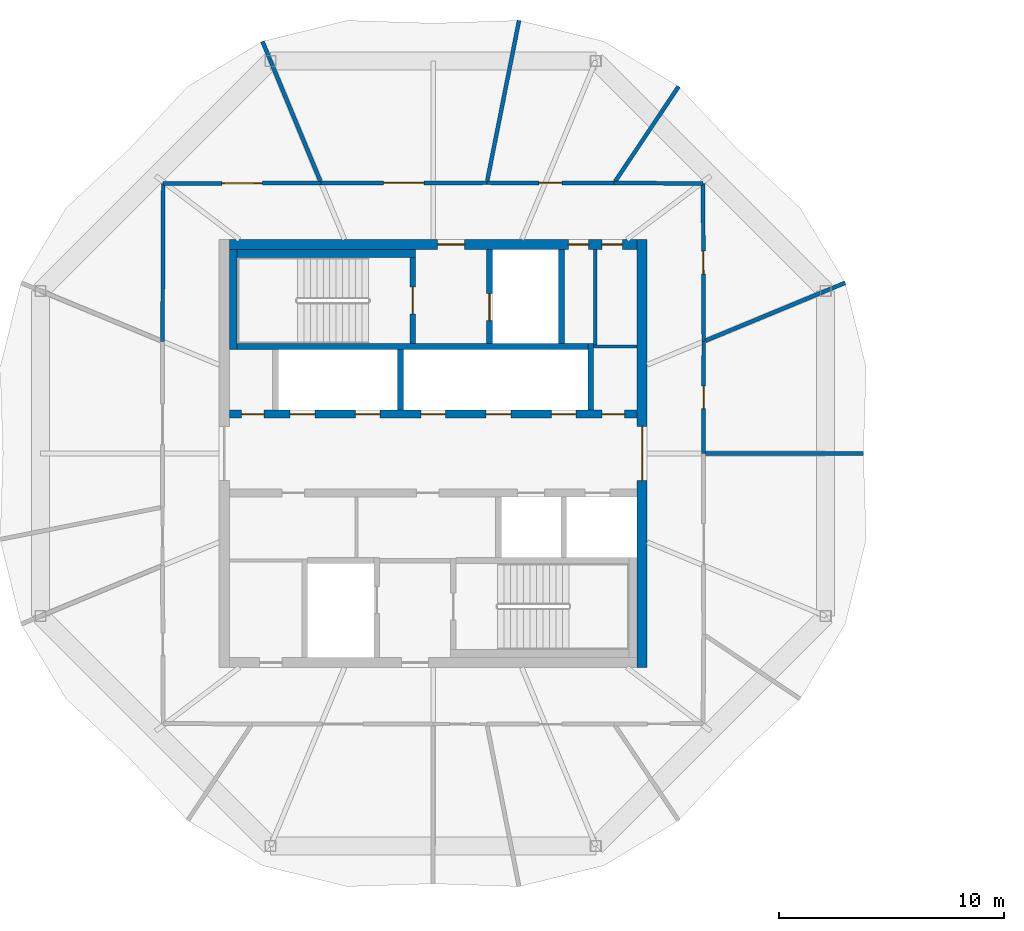
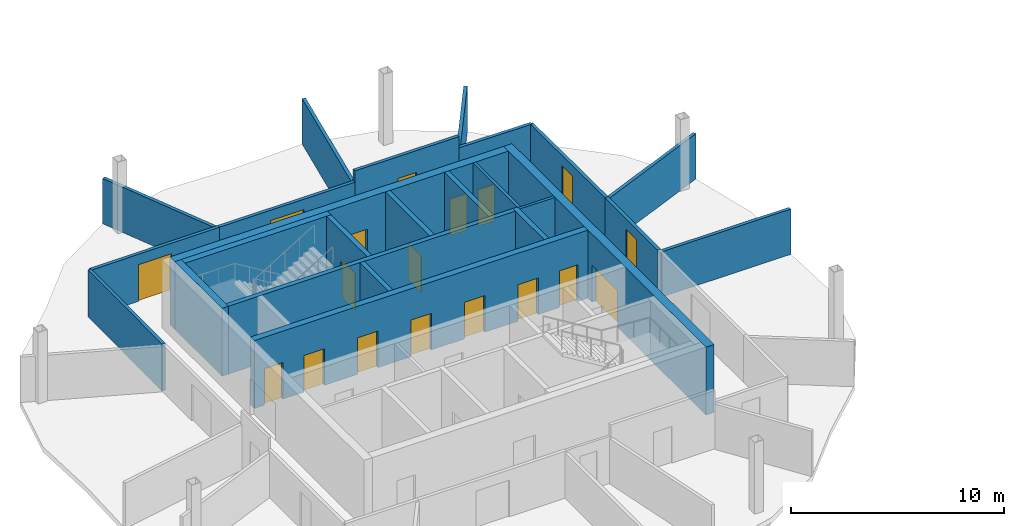
# One storey, part 6 of 10: 25 walls, 18 doors, 18 openings.
"""IFC4 building model written with IfcOpenShell, lengths in metres."""

from ifc_helpers import new_model, si_unit, direction, frame, frame_2d, origin, place, context, subcontext, project, spatial, rectangle, extrude, material, layer, layer_set, type_object, element, fill, save


model = new_model("IFC4")

# Units and contexts
model_context = context("Model", 3, precision=1e-05, world=origin(), true_north=direction((0.0, 1.0)))
body_context = subcontext(model_context, "Body", "Model", "MODEL_VIEW")
ifc_project = project(units=[si_unit("LENGTHUNIT", "METRE"), si_unit("AREAUNIT", "SQUARE_METRE"), si_unit("VOLUMEUNIT", "CUBIC_METRE"), si_unit("PLANEANGLEUNIT", "RADIAN"), si_unit("MASSUNIT", "GRAM", prefix="KILO")], contexts=[model_context])

# Site, building, storey
site_placement = place(None, origin())
site = spatial("IfcSite", under=ifc_project, at=site_placement, CompositionType="ELEMENT")
building_placement = place(site_placement, origin())
building = spatial("IfcBuilding", under=site, at=building_placement, Name="Ogive Gate Towers", CompositionType="ELEMENT")
storey_placement = place(building_placement, frame((0.0, 0.0, 264.60009765625)))
storey = spatial("IfcBuildingStorey", under=building, at=storey_placement, Name="L62", CompositionType="ELEMENT", Elevation=264.60009765625)

# Walls
ifc_material_1 = material(Name="Gypsum board acoustic partition")
ifc_layer_1 = layer(ifc_material_1, 0.175048828125)
ifc_layer_set_1 = layer_set([ifc_layer_1], Name="Acoustic partition 175")
wall_type_1 = type_object("IfcWallType", Name="Acoustic partition 175", PredefinedType="PARTITIONING", material=ifc_layer_set_1)
wall_1_placement = place(storey_placement, frame((-16.90087890625, 0.0, 0.0), z_axis=(0.0, 0.0, 1.0), x_axis=(-1.0, 0.0, 0.0)))
element("IfcWall", 1, at=wall_1_placement, inside=storey, type_object=wall_type_1, Name="Partition T1-L62-001", PredefinedType="PARTITIONING", context=body_context, shape_type="SweptSolid", body=[
    extrude(rectangle(XDim=7.011474609375, YDim=0.175048828125, at=frame_2d((3.505859375, 0.0))), origin(), (0.0, 0.0, 1.0), 2.599853515625),
])
wall_2_placement = place(storey_placement, frame((-17.70703125, 7.5771484375, 0.0), z_axis=(0.0, 0.0, 1.0), x_axis=(-0.923882053966, -0.382677344977, 0.0)))
element("IfcWall", 2, at=wall_2_placement, inside=storey, type_object=wall_type_1, Name="Partition T1-L62-002", PredefinedType="PARTITIONING", context=body_context, shape_type="SweptSolid", body=[
    extrude(rectangle(XDim=6.711669921875, YDim=0.175048828125, at=frame_2d((3.35595703125, 0.0))), origin(), (0.0, 0.0, 1.0), 2.599853515625),
])
wall_3_placement = place(storey_placement, frame((-25.103515625, 16.291259765625, 0.0), z_axis=(0.0, 0.0, 1.0), x_axis=(-0.555968529854, -0.831203340833, 0.0)))
element("IfcWall", 3, at=wall_3_placement, inside=storey, type_object=wall_type_1, Name="Partition T1-L62-003", PredefinedType="PARTITIONING", context=body_context, shape_type="SweptSolid", body=[
    extrude(rectangle(XDim=5.061279296875, YDim=0.175048828125, at=frame_2d((2.53076171875, 0.0))), origin(), (0.0, 0.0, 1.0), 2.599853515625),
])
wall_4_placement = place(storey_placement, frame((-32.185302734375, 19.224609375, 0.0), z_axis=(0.0, 0.0, 1.0), x_axis=(-0.194635269344, -0.980875686276, 0.0)))
element("IfcWall", 4, at=wall_4_placement, inside=storey, type_object=wall_type_1, Name="Partition T1-L62-004", PredefinedType="PARTITIONING", context=body_context, shape_type="SweptSolid", body=[
    extrude(rectangle(XDim=7.261474609375, YDim=0.175048828125, at=frame_2d((3.630859375, 0.0))), origin(), (0.0, 0.0, 1.0), 2.599853515625),
])
wall_5_placement = place(storey_placement, frame((-43.5771484375, 18.29296875, 0.0), z_axis=(0.0, 0.0, 1.0), x_axis=(0.382677344977, -0.923882053966, 0.0)))
element("IfcWall", 5, at=wall_5_placement, inside=storey, type_object=wall_type_1, Name="Partition T1-L62-005", PredefinedType="PARTITIONING", context=body_context, shape_type="SweptSolid", body=[
    extrude(rectangle(XDim=6.711669921875, YDim=0.175048828125, at=frame_2d((3.35595703125, 0.0))), origin(), (0.0, 0.0, 1.0), 2.599853515625),
])

# Wall, opening, door
wall_6_placement = place(storey_placement, frame((-24.0, 0.0, 0.0), z_axis=(0.0, 0.0, 1.0), x_axis=(0.002306289563, 0.999997340511, 0.0)))
wall_6 = element("IfcWall", 6, at=wall_6_placement, inside=storey, type_object=wall_type_1, Name="Partition T1-L62-019", PredefinedType="PARTITIONING", context=body_context, shape_type="SweptSolid", body=[
    extrude(rectangle(XDim=4.975341796875, YDim=0.175048828125, at=frame_2d((2.48779296875, 0.0))), origin(), (0.0, 0.0, 1.0), 2.699951171875),
])
opening_1_placement = place(wall_6_placement, frame((1.988037109375, 0.0, 0.0)))
opening_1 = element("IfcOpeningElement", 7, at=opening_1_placement, cuts=wall_6, Name="Opening T1-L62-D05", PredefinedType="OPENING", context=body_context, shape_type="SweptSolid", body=[
    extrude(rectangle(XDim=1.0, YDim=2.10009765625, at=frame_2d((0.5, 1.050048828125))), frame((0.0, 0.09765625, 0.0), z_axis=(0.0, -1.0, 0.0), x_axis=(1.0, 0.0, 0.0)), (0.0, 0.0, 1.0), 0.195068359375),
])
ifc_material_2 = material(Name="Timber door", Category="wood")
door_type_1 = type_object("IfcDoorType", Name="Door 1000", OperationType="NOTDEFINED", PredefinedType="DOOR", material=ifc_material_2)
door_1_placement = place(opening_1_placement, origin())
door_1 = element("IfcDoor", 8, at=door_1_placement, inside=storey, type_object=door_type_1, Name="Door T1-L62-D05", OperationType="SINGLE_SWING_RIGHT", OverallHeight=2.10009765625, OverallWidth=1.0, PredefinedType="DOOR", context=body_context, shape_type="SweptSolid", body=[
    extrude(rectangle(XDim=1.0, YDim=2.10009765625, at=frame_2d((0.5, 1.050048828125))), frame((0.0, 0.02490234375, 0.0), z_axis=(0.0, -1.0, 0.0), x_axis=(1.0, 0.0, 0.0)), (0.0, 0.0, 1.0), 0.050048828125),
])
fill(opening_1, door_1)

wall_7_placement = place(storey_placement, frame((-23.988525390625, 4.975341796875, 0.0), z_axis=(0.0, 0.0, 1.0), x_axis=(-0.004496138026, 0.99998989232, 0.0)))
wall_7 = element("IfcWall", 9, at=wall_7_placement, inside=storey, type_object=wall_type_1, Name="Partition T1-L62-020", PredefinedType="PARTITIONING", context=body_context, shape_type="SweptSolid", body=[
    extrude(rectangle(XDim=7.004638671875, YDim=0.175048828125, at=frame_2d((3.50244140625, 0.0))), origin(), (0.0, 0.0, 1.0), 2.699951171875),
])
opening_2_placement = place(wall_7_placement, frame((3.001953125, 0.0, 0.0)))
opening_2 = element("IfcOpeningElement", 10, at=opening_2_placement, cuts=wall_7, Name="Opening T1-L62-D06", PredefinedType="OPENING", context=body_context, shape_type="SweptSolid", body=[
    extrude(rectangle(XDim=1.0, YDim=2.10009765625, at=frame_2d((0.5, 1.050048828125))), frame((0.0, 0.09765625, 0.0), z_axis=(0.0, -1.0, 0.0), x_axis=(1.0, 0.0, 0.0)), (0.0, 0.0, 1.0), 0.195068359375),
])
door_2_placement = place(opening_2_placement, origin())
door_2 = element("IfcDoor", 11, at=door_2_placement, inside=storey, type_object=door_type_1, Name="Door T1-L62-D06", OperationType="SINGLE_SWING_LEFT", OverallHeight=2.10009765625, OverallWidth=1.0, PredefinedType="DOOR", context=body_context, shape_type="SweptSolid", body=[
    extrude(rectangle(XDim=1.0, YDim=2.10009765625, at=frame_2d((0.5, 1.050048828125))), frame((0.0, 0.02490234375, 0.0), z_axis=(0.0, -1.0, 0.0), x_axis=(1.0, 0.0, 0.0)), (0.0, 0.0, 1.0), 0.050048828125),
])
fill(opening_2, door_2)

# Wall
wall_8_placement = place(storey_placement, frame((-24.02001953125, 11.97998046875, 0.0), z_axis=(0.0, 0.0, 1.0), x_axis=(-0.999968151812, 0.007980937424, 0.0)))
element("IfcWall", 12, at=wall_8_placement, inside=storey, type_object=wall_type_1, Name="Partition T1-L62-021", PredefinedType="PARTITIONING", context=body_context, shape_type="SweptSolid", body=[
    extrude(rectangle(XDim=3.9462890625, YDim=0.175048828125, at=frame_2d((1.97314453125, 0.0))), origin(), (0.0, 0.0, 1.0), 2.699951171875),
])

# Wall, opening, door
wall_9_placement = place(storey_placement, frame((-27.966064453125, 12.011474609375, 0.0), z_axis=(0.0, 0.0, 1.0), x_axis=(-0.999999626489, 0.000864303912, 0.0)))
wall_9 = element("IfcWall", 13, at=wall_9_placement, inside=storey, type_object=wall_type_1, Name="Partition T1-L62-022", PredefinedType="PARTITIONING", context=body_context, shape_type="SweptSolid", body=[
    extrude(rectangle(XDim=5.6494140625, YDim=0.175048828125, at=frame_2d((2.82470703125, 0.0))), origin(), (0.0, 0.0, 1.0), 3.349853515625),
])
opening_3_placement = place(wall_9_placement, frame((2.324951171875, 0.0, 0.0)))
opening_3 = element("IfcOpeningElement", 14, at=opening_3_placement, cuts=wall_9, Name="Opening T1-L62-D07", PredefinedType="OPENING", context=body_context, shape_type="SweptSolid", body=[
    extrude(rectangle(XDim=1.0, YDim=2.10009765625, at=frame_2d((0.5, 1.050048828125))), frame((0.0, 0.09765625, 0.0), z_axis=(0.0, -1.0, 0.0), x_axis=(1.0, 0.0, 0.0)), (0.0, 0.0, 1.0), 0.195068359375),
])
door_3_placement = place(opening_3_placement, origin())
door_3 = element("IfcDoor", 15, at=door_3_placement, inside=storey, type_object=door_type_1, Name="Door T1-L62-D07", OperationType="SINGLE_SWING_LEFT", OverallHeight=2.10009765625, OverallWidth=1.0, PredefinedType="DOOR", context=body_context, shape_type="SweptSolid", body=[
    extrude(rectangle(XDim=1.0, YDim=2.10009765625, at=frame_2d((0.5, 1.050048828125))), frame((0.0, 0.02490234375, 0.0), z_axis=(0.0, -1.0, 0.0), x_axis=(1.0, 0.0, 0.0)), (0.0, 0.0, 1.0), 0.050048828125),
])
fill(opening_3, door_3)

wall_10_placement = place(storey_placement, frame((-33.615478515625, 12.016357421875, 0.0), z_axis=(0.0, 0.0, 1.0), x_axis=(-0.999999779925, -0.000663437789, 0.0)))
wall_10 = element("IfcWall", 16, at=wall_10_placement, inside=storey, type_object=wall_type_1, Name="Partition T1-L62-023", PredefinedType="PARTITIONING", context=body_context, shape_type="SweptSolid", body=[
    extrude(rectangle(XDim=7.35986328125, YDim=0.175048828125, at=frame_2d((3.679931640625, 0.0))), origin(), (0.0, 0.0, 1.0), 2.699951171875),
])
opening_4_placement = place(wall_10_placement, frame((2.780029296875, 0.0, 0.0)))
opening_4 = element("IfcOpeningElement", 17, at=opening_4_placement, cuts=wall_10, Name="Opening T1-L62-D08", PredefinedType="OPENING", context=body_context, shape_type="SweptSolid", body=[
    extrude(rectangle(XDim=1.800048828125, YDim=2.10009765625, at=frame_2d((0.89990234375, 1.050048828125))), frame((0.0, 0.09765625, 0.0), z_axis=(0.0, -1.0, 0.0), x_axis=(1.0, 0.0, 0.0)), (0.0, 0.0, 1.0), 0.195068359375),
])
door_type_2 = type_object("IfcDoorType", Name="Door pair 1800", OperationType="NOTDEFINED", PredefinedType="DOOR", material=ifc_material_2)
door_4_placement = place(opening_4_placement, origin())
door_4 = element("IfcDoor", 18, at=door_4_placement, inside=storey, type_object=door_type_2, Name="Door T1-L62-D08", OperationType="DOUBLE_DOOR_DOUBLE_SWING", OverallHeight=2.10009765625, OverallWidth=1.800048828125, PredefinedType="DOOR", context=body_context, shape_type="SweptSolid", body=[
    extrude(rectangle(XDim=1.800048828125, YDim=2.10009765625, at=frame_2d((0.89990234375, 1.050048828125))), frame((0.0, 0.02490234375, 0.0), z_axis=(0.0, -1.0, 0.0), x_axis=(1.0, 0.0, 0.0)), (0.0, 0.0, 1.0), 0.050048828125),
])
fill(opening_4, door_4)

wall_11_placement = place(storey_placement, frame((-40.975341796875, 12.011474609375, 0.0), z_axis=(0.0, 0.0, 1.0), x_axis=(-0.99998989232, -0.004496138026, 0.0)))
wall_11 = element("IfcWall", 19, at=wall_11_placement, inside=storey, type_object=wall_type_1, Name="Partition T1-L62-024", PredefinedType="PARTITIONING", context=body_context, shape_type="SweptSolid", body=[
    extrude(rectangle(XDim=7.004638671875, YDim=0.175048828125, at=frame_2d((3.50244140625, 0.0))), origin(), (0.0, 0.0, 1.0), 2.699951171875),
])
opening_5_placement = place(wall_11_placement, frame((2.60205078125, 0.0, 0.0)))
opening_5 = element("IfcOpeningElement", 20, at=opening_5_placement, cuts=wall_11, Name="Opening T1-L62-D09", PredefinedType="OPENING", context=body_context, shape_type="SweptSolid", body=[
    extrude(rectangle(XDim=1.800048828125, YDim=2.10009765625, at=frame_2d((0.89990234375, 1.050048828125))), frame((0.0, 0.09765625, 0.0), z_axis=(0.0, -1.0, 0.0), x_axis=(1.0, 0.0, 0.0)), (0.0, 0.0, 1.0), 0.195068359375),
])
door_5_placement = place(opening_5_placement, origin())
door_5 = element("IfcDoor", 21, at=door_5_placement, inside=storey, type_object=door_type_2, Name="Door T1-L62-D09", OperationType="DOUBLE_DOOR_DOUBLE_SWING", OverallHeight=2.10009765625, OverallWidth=1.800048828125, PredefinedType="DOOR", context=body_context, shape_type="SweptSolid", body=[
    extrude(rectangle(XDim=1.800048828125, YDim=2.10009765625, at=frame_2d((0.89990234375, 1.050048828125))), frame((0.0, 0.02490234375, 0.0), z_axis=(0.0, -1.0, 0.0), x_axis=(1.0, 0.0, 0.0)), (0.0, 0.0, 1.0), 0.050048828125),
])
fill(opening_5, door_5)

# Wall
wall_12_placement = place(storey_placement, frame((-47.97998046875, 11.97998046875, 0.0), z_axis=(0.0, 0.0, 1.0), x_axis=(-0.004496138026, -0.99998989232, 0.0)))
element("IfcWall", 22, at=wall_12_placement, inside=storey, type_object=wall_type_1, Name="Partition T1-L62-025", PredefinedType="PARTITIONING", context=body_context, shape_type="SweptSolid", body=[
    extrude(rectangle(XDim=7.004638671875, YDim=0.175048828125, at=frame_2d((3.50244140625, 0.0))), origin(), (0.0, 0.0, 1.0), 2.699951171875),
])

# Wall, openings, doors
ifc_material_3 = material(Name="Concrete C60/75", Category="concrete")
ifc_layer_2 = layer(ifc_material_3, 0.449951171875)
ifc_layer_set_2 = layer_set([ifc_layer_2], Name="Core wall 450 mm")
wall_type_2 = type_object("IfcWallType", Name="Core wall 450 mm", PredefinedType="SHEAR", material=ifc_layer_set_2)
wall_13_placement = place(storey_placement, frame((-45.050048828125, 9.27490234375, 0.0), z_axis=(0.0, 0.0, 1.0), x_axis=(1.0, 0.0, 0.0)))
wall_13 = element("IfcWall", 23, at=wall_13_placement, inside=storey, type_object=wall_type_2, Name="T1 L62 Core wall 450 mm", PredefinedType="SHEAR", context=body_context, shape_type="SweptSolid", body=[
    extrude(rectangle(XDim=18.10009765625, YDim=0.449951171875, at=frame_2d((9.050048828125, 0.0))), origin(), (0.0, 0.0, 1.0), 3.89990234375),
])
opening_6_placement = place(wall_13_placement, frame((9.25, 0.0, 0.0)))
opening_6 = element("IfcOpeningElement", 24, at=opening_6_placement, cuts=wall_13, Name="Opening KD-T1-L62-18", PredefinedType="OPENING", context=body_context, shape_type="SweptSolid", body=[
    extrude(rectangle(XDim=1.199951171875, YDim=2.10009765625, at=frame_2d((0.60009765625, 1.050048828125))), frame((0.0, 0.23486328125, 0.0), z_axis=(0.0, -1.0, 0.0), x_axis=(1.0, 0.0, 0.0)), (0.0, 0.0, 1.0), 0.469970703125),
])
opening_7_placement = place(wall_13_placement, frame((15.050048828125, 0.0, 0.0)))
opening_7 = element("IfcOpeningElement", 25, at=opening_7_placement, cuts=wall_13, Name="Opening KD-T1-L62-20", PredefinedType="OPENING", context=body_context, shape_type="SweptSolid", body=[
    extrude(rectangle(XDim=0.89990234375, YDim=2.10009765625, at=frame_2d((0.449951171875, 1.050048828125))), frame((0.0, 0.23486328125, 0.0), z_axis=(0.0, -1.0, 0.0), x_axis=(1.0, 0.0, 0.0)), (0.0, 0.0, 1.0), 0.469970703125),
])
opening_8_placement = place(wall_13_placement, frame((16.550048828125, 0.0, 0.0)))
opening_8 = element("IfcOpeningElement", 26, at=opening_8_placement, cuts=wall_13, Name="Opening KD-T1-L62-21", PredefinedType="OPENING", context=body_context, shape_type="SweptSolid", body=[
    extrude(rectangle(XDim=0.89990234375, YDim=2.10009765625, at=frame_2d((0.449951171875, 1.050048828125))), frame((0.0, 0.23486328125, 0.0), z_axis=(0.0, -1.0, 0.0), x_axis=(1.0, 0.0, 0.0)), (0.0, 0.0, 1.0), 0.469970703125),
])
door_type_3 = type_object("IfcDoorType", Name="Core WC door 900 x 2100", OperationType="NOTDEFINED", PredefinedType="DOOR", material=ifc_material_2)
door_6_placement = place(opening_7_placement, origin())
door_6 = element("IfcDoor", 27, at=door_6_placement, inside=storey, type_object=door_type_3, Name="T1 L62 Core door", OperationType="SINGLE_SWING_LEFT", OverallHeight=2.10009765625, OverallWidth=0.89990234375, PredefinedType="DOOR", context=body_context, shape_type="SweptSolid", body=[
    extrude(rectangle(XDim=0.89990234375, YDim=2.10009765625, at=frame_2d((0.449951171875, 1.050048828125))), frame((0.0, 0.02490234375, 0.0), z_axis=(0.0, -1.0, 0.0), x_axis=(1.0, 0.0, 0.0)), (0.0, 0.0, 1.0), 0.050048828125),
])
fill(opening_7, door_6)
door_7_placement = place(opening_8_placement, origin())
door_7 = element("IfcDoor", 28, at=door_7_placement, inside=storey, type_object=door_type_3, Name="T1 L62 Core door", OperationType="SINGLE_SWING_RIGHT", OverallHeight=2.10009765625, OverallWidth=0.89990234375, PredefinedType="DOOR", context=body_context, shape_type="SweptSolid", body=[
    extrude(rectangle(XDim=0.89990234375, YDim=2.10009765625, at=frame_2d((0.449951171875, 1.050048828125))), frame((0.0, 0.02490234375, 0.0), z_axis=(0.0, -1.0, 0.0), x_axis=(1.0, 0.0, 0.0)), (0.0, 0.0, 1.0), 0.050048828125),
])
fill(opening_8, door_7)
ifc_material_4 = material(Name="Steel fire door", Category="steel")
door_type_4 = type_object("IfcDoorType", Name="Core door FD60S 1200 x 2100", OperationType="NOTDEFINED", PredefinedType="DOOR", material=ifc_material_4)
door_8_placement = place(opening_6_placement, origin())
door_8 = element("IfcDoor", 29, at=door_8_placement, inside=storey, type_object=door_type_4, Name="T1 L62 Fire-fighting lobby door", OperationType="SINGLE_SWING_LEFT", OverallHeight=2.10009765625, OverallWidth=1.199951171875, PredefinedType="DOOR", context=body_context, shape_type="SweptSolid", body=[
    extrude(rectangle(XDim=1.199951171875, YDim=2.10009765625, at=frame_2d((0.60009765625, 1.050048828125))), frame((0.0, 0.02490234375, 0.0), z_axis=(0.0, -1.0, 0.0), x_axis=(1.0, 0.0, 0.0)), (0.0, 0.0, 1.0), 0.050048828125),
])
fill(opening_6, door_8)

# Wall, opening, door
wall_14_placement = place(storey_placement, frame((-26.72509765625, -9.5, 0.0), z_axis=(0.0, 0.0, 1.0), x_axis=(0.0, 1.0, 0.0)))
wall_14 = element("IfcWall", 30, at=wall_14_placement, inside=storey, type_object=wall_type_2, Name="T1 L62 Core wall 450 mm", PredefinedType="SHEAR", context=body_context, shape_type="SweptSolid", body=[
    extrude(rectangle(XDim=19.0, YDim=0.449951171875, at=frame_2d((9.5, 0.0))), origin(), (0.0, 0.0, 1.0), 3.89990234375),
])
opening_9_placement = place(wall_14_placement, frame((8.300048828125, 0.0, 0.0)))
opening_9 = element("IfcOpeningElement", 31, at=opening_9_placement, cuts=wall_14, Name="Opening KD-T1-L62-02", PredefinedType="OPENING", context=body_context, shape_type="SweptSolid", body=[
    extrude(rectangle(XDim=2.39990234375, YDim=2.10009765625, at=frame_2d((1.199951171875, 1.050048828125))), frame((0.0, 0.23486328125, 0.0), z_axis=(0.0, -1.0, 0.0), x_axis=(1.0, 0.0, 0.0)), (0.0, 0.0, 1.0), 0.469970703125),
])
door_type_5 = type_object("IfcDoorType", Name="Core double door FD60S 2400 x 2100", OperationType="DOUBLE_DOOR_SINGLE_SWING", PredefinedType="DOOR", material=ifc_material_4)
door_9_placement = place(opening_9_placement, origin())
door_9 = element("IfcDoor", 32, at=door_9_placement, inside=storey, type_object=door_type_5, Name="T1 L62 Core door double", OperationType="DOUBLE_DOOR_SINGLE_SWING", OverallHeight=2.10009765625, OverallWidth=2.39990234375, PredefinedType="DOOR", context=body_context, shape_type="SweptSolid", body=[
    extrude(rectangle(XDim=2.39990234375, YDim=2.10009765625, at=frame_2d((1.199951171875, 1.050048828125))), frame((0.0, 0.02490234375, 0.0), z_axis=(0.0, -1.0, 0.0), x_axis=(1.0, 0.0, 0.0)), (0.0, 0.0, 1.0), 0.050048828125),
])
fill(opening_9, door_9)

# Walls
ifc_material_5 = material(Name="Gypsum board partition")
ifc_layer_3 = layer(ifc_material_5, 0.14990234375)
ifc_layer_set_3 = layer_set([ifc_layer_3], Name="Room partition 150 mm")
wall_type_3 = type_object("IfcWallType", Name="Room partition 150 mm", PredefinedType="PARTITIONING", material=ifc_layer_set_3)
wall_15_placement = place(storey_placement, frame((-28.875, 4.75, 0.0), z_axis=(0.0, 0.0, 1.0), x_axis=(1.0, 0.0, 0.0)))
element("IfcWall", 33, at=wall_15_placement, inside=storey, type_object=wall_type_3, Name="T1 L62 Room partition 150 mm", PredefinedType="PARTITIONING", context=body_context, shape_type="SweptSolid", body=[
    extrude(rectangle(XDim=1.925048828125, YDim=0.14990234375, at=frame_2d((0.96240234375, 0.0))), origin(), (0.0, 0.0, 1.0), 3.89990234375),
])
wall_16_placement = place(storey_placement, frame((-28.800048828125, 4.824951171875, 0.0), z_axis=(0.0, 0.0, 1.0), x_axis=(0.0, 1.0, 0.0)))
element("IfcWall", 34, at=wall_16_placement, inside=storey, type_object=wall_type_3, Name="T1 L62 Room partition 150 mm", PredefinedType="PARTITIONING", context=body_context, shape_type="SweptSolid", body=[
    extrude(rectangle(XDim=4.22509765625, YDim=0.14990234375, at=frame_2d((2.112548828125, 0.0))), origin(), (0.0, 0.0, 1.0), 3.89990234375),
])
ifc_layer_4 = layer(ifc_material_3, 0.25)
ifc_layer_set_4 = layer_set([ifc_layer_4], Name="Shaft wall 250 mm")
wall_type_4 = type_object("IfcWallType", Name="Shaft wall 250 mm", PredefinedType="SHEAR", material=ifc_layer_set_4)
wall_17_placement = place(storey_placement, frame((-44.699951171875, 4.75, 0.0), z_axis=(0.0, 0.0, 1.0), x_axis=(1.0, 0.0, 0.0)))
element("IfcWall", 35, at=wall_17_placement, inside=storey, type_object=wall_type_4, Name="T1 L62 Shaft wall 250 mm", PredefinedType="SHEAR", context=body_context, shape_type="SweptSolid", body=[
    extrude(rectangle(XDim=15.574951171875, YDim=0.25, at=frame_2d((7.78759765625, 0.0))), origin(), (0.0, 0.0, 1.0), 3.89990234375),
])
wall_18_placement = place(storey_placement, frame((-37.449951171875, 1.925048828125, 0.0), z_axis=(0.0, 0.0, 1.0), x_axis=(0.0, 1.0, 0.0)))
element("IfcWall", 36, at=wall_18_placement, inside=storey, type_object=wall_type_4, Name="T1 L62 Shaft wall 250 mm", PredefinedType="SHEAR", context=body_context, shape_type="SweptSolid", body=[
    extrude(rectangle(XDim=2.699951171875, YDim=0.25, at=frame_2d((1.35009765625, 0.0))), origin(), (0.0, 0.0, 1.0), 3.89990234375),
])

# Wall, opening, door
wall_19_placement = place(storey_placement, frame((-36.89990234375, 4.875, 0.0), z_axis=(0.0, 0.0, 1.0), x_axis=(0.0, 1.0, 0.0)))
wall_19 = element("IfcWall", 37, at=wall_19_placement, inside=storey, type_object=wall_type_4, Name="T1 L62 Shaft wall 250 mm", PredefinedType="SHEAR", context=body_context, shape_type="SweptSolid", body=[
    extrude(rectangle(XDim=3.824951171875, YDim=0.25, at=frame_2d((1.91259765625, 0.0))), origin(), (0.0, 0.0, 1.0), 3.89990234375),
])
opening_10_placement = place(wall_19_placement, frame((1.324951171875, 0.0, 0.0)))
opening_10 = element("IfcOpeningElement", 38, at=opening_10_placement, cuts=wall_19, Name="Opening KD-T1-L62-16", PredefinedType="OPENING", context=body_context, shape_type="SweptSolid", body=[
    extrude(rectangle(XDim=1.199951171875, YDim=2.10009765625, at=frame_2d((0.60009765625, 1.050048828125))), frame((0.0, 0.135009765625, 0.0), z_axis=(0.0, -1.0, 0.0), x_axis=(1.0, 0.0, 0.0)), (0.0, 0.0, 1.0), 0.27001953125),
])
door_10_placement = place(opening_10_placement, origin())
door_10 = element("IfcDoor", 39, at=door_10_placement, inside=storey, type_object=door_type_4, Name="T1 L62 Stair door", OperationType="SINGLE_SWING_LEFT", OverallHeight=2.10009765625, OverallWidth=1.199951171875, PredefinedType="DOOR", context=body_context, shape_type="SweptSolid", body=[
    extrude(rectangle(XDim=1.199951171875, YDim=2.10009765625, at=frame_2d((0.60009765625, 1.050048828125))), frame((0.0, 0.02490234375, 0.0), z_axis=(0.0, -1.0, 0.0), x_axis=(1.0, 0.0, 0.0)), (0.0, 0.0, 1.0), 0.050048828125),
])
fill(opening_10, door_10)

wall_20_placement = place(storey_placement, frame((-33.5, 4.875, 0.0), z_axis=(0.0, 0.0, 1.0), x_axis=(0.0, 1.0, 0.0)))
wall_20 = element("IfcWall", 40, at=wall_20_placement, inside=storey, type_object=wall_type_4, Name="T1 L62 Shaft wall 250 mm", PredefinedType="SHEAR", context=body_context, shape_type="SweptSolid", body=[
    extrude(rectangle(XDim=4.175048828125, YDim=0.25, at=frame_2d((2.08740234375, 0.0))), origin(), (0.0, 0.0, 1.0), 3.89990234375),
])
opening_11_placement = place(wall_20_placement, frame((1.02490234375, 0.0, 0.0)))
opening_11 = element("IfcOpeningElement", 41, at=opening_11_placement, cuts=wall_20, Name="Opening LD-T1-L62-12", PredefinedType="OPENING", context=body_context, shape_type="SweptSolid", body=[
    extrude(rectangle(XDim=1.199951171875, YDim=2.10009765625, at=frame_2d((0.60009765625, 1.050048828125))), frame((0.0, 0.135009765625, 0.0), z_axis=(0.0, -1.0, 0.0), x_axis=(1.0, 0.0, 0.0)), (0.0, 0.0, 1.0), 0.27001953125),
])
ifc_material_6 = material(Name="Stainless steel landing door", Category="steel")
door_type_6 = type_object("IfcDoorType", Name="Landing door 1200 x 2100", OperationType="SLIDING_TO_LEFT", PredefinedType="DOOR", material=ifc_material_6)
door_11_placement = place(opening_11_placement, origin())
door_11 = element("IfcDoor", 42, at=door_11_placement, inside=storey, type_object=door_type_6, Name="T1 L62 Lift landing door FF1", OperationType="SLIDING_TO_LEFT", OverallHeight=2.10009765625, OverallWidth=1.199951171875, PredefinedType="DOOR", context=body_context, shape_type="SweptSolid", body=[
    extrude(rectangle(XDim=1.199951171875, YDim=2.10009765625, at=frame_2d((0.60009765625, 1.050048828125))), frame((0.0, 0.02490234375, 0.0), z_axis=(0.0, -1.0, 0.0), x_axis=(1.0, 0.0, 0.0)), (0.0, 0.0, 1.0), 0.050048828125),
])
fill(opening_11, door_11)

# Walls
wall_21_placement = place(storey_placement, frame((-30.300048828125, 4.875, 0.0), z_axis=(0.0, 0.0, 1.0), x_axis=(0.0, 1.0, 0.0)))
element("IfcWall", 43, at=wall_21_placement, inside=storey, type_object=wall_type_4, Name="T1 L62 Shaft wall 250 mm", PredefinedType="SHEAR", context=body_context, shape_type="SweptSolid", body=[
    extrude(rectangle(XDim=4.175048828125, YDim=0.25, at=frame_2d((2.08740234375, 0.0))), origin(), (0.0, 0.0, 1.0), 3.89990234375),
])
wall_22_placement = place(storey_placement, frame((-29.0, 1.925048828125, 0.0), z_axis=(0.0, 0.0, 1.0), x_axis=(0.0, 1.0, 0.0)))
element("IfcWall", 44, at=wall_22_placement, inside=storey, type_object=wall_type_4, Name="T1 L62 Shaft wall 250 mm", PredefinedType="SHEAR", context=body_context, shape_type="SweptSolid", body=[
    extrude(rectangle(XDim=2.949951171875, YDim=0.25, at=frame_2d((1.47509765625, 0.0))), origin(), (0.0, 0.0, 1.0), 3.89990234375),
])

# Wall, openings, doors
ifc_layer_5 = layer(ifc_material_3, 0.35009765625)
ifc_layer_set_5 = layer_set([ifc_layer_5], Name="Spine wall 350 mm")
wall_type_5 = type_object("IfcWallType", Name="Spine wall 350 mm", PredefinedType="SHEAR", material=ifc_layer_set_5)
wall_23_placement = place(storey_placement, frame((-45.050048828125, 1.75, 0.0), z_axis=(0.0, 0.0, 1.0), x_axis=(1.0, 0.0, 0.0)))
wall_23 = element("IfcWall", 45, at=wall_23_placement, inside=storey, type_object=wall_type_5, Name="T1 L62 Spine wall 350 mm", PredefinedType="SHEAR", context=body_context, shape_type="SweptSolid", body=[
    extrude(rectangle(XDim=18.10009765625, YDim=0.35009765625, at=frame_2d((9.050048828125, 0.0))), origin(), (0.0, 0.0, 1.0), 3.89990234375),
])
opening_12_placement = place(wall_23_placement, frame((0.550048828125, 0.0, 0.0)))
opening_12 = element("IfcOpeningElement", 46, at=opening_12_placement, cuts=wall_23, Name="Opening KD-T1-L62-03", PredefinedType="OPENING", context=body_context, shape_type="SweptSolid", body=[
    extrude(rectangle(XDim=1.0, YDim=2.10009765625, at=frame_2d((0.5, 1.050048828125))), frame((0.0, 0.18505859375, 0.0), z_axis=(0.0, -1.0, 0.0), x_axis=(1.0, 0.0, 0.0)), (0.0, 0.0, 1.0), 0.3701171875),
])
opening_13_placement = place(wall_23_placement, frame((2.699951171875, 0.0, 0.0)))
opening_13 = element("IfcOpeningElement", 47, at=opening_13_placement, cuts=wall_23, Name="Opening LD-T1-L62-04", PredefinedType="OPENING", context=body_context, shape_type="SweptSolid", body=[
    extrude(rectangle(XDim=1.10009765625, YDim=2.10009765625, at=frame_2d((0.550048828125, 1.050048828125))), frame((0.0, 0.18505859375, 0.0), z_axis=(0.0, -1.0, 0.0), x_axis=(1.0, 0.0, 0.0)), (0.0, 0.0, 1.0), 0.3701171875),
])
opening_14_placement = place(wall_23_placement, frame((5.60009765625, 0.0, 0.0)))
opening_14 = element("IfcOpeningElement", 48, at=opening_14_placement, cuts=wall_23, Name="Opening LD-T1-L62-05", PredefinedType="OPENING", context=body_context, shape_type="SweptSolid", body=[
    extrude(rectangle(XDim=1.10009765625, YDim=2.10009765625, at=frame_2d((0.550048828125, 1.050048828125))), frame((0.0, 0.18505859375, 0.0), z_axis=(0.0, -1.0, 0.0), x_axis=(1.0, 0.0, 0.0)), (0.0, 0.0, 1.0), 0.3701171875),
])
opening_15_placement = place(wall_23_placement, frame((8.5, 0.0, 0.0)))
opening_15 = element("IfcOpeningElement", 49, at=opening_15_placement, cuts=wall_23, Name="Opening LD-T1-L62-06", PredefinedType="OPENING", context=body_context, shape_type="SweptSolid", body=[
    extrude(rectangle(XDim=1.10009765625, YDim=2.10009765625, at=frame_2d((0.550048828125, 1.050048828125))), frame((0.0, 0.18505859375, 0.0), z_axis=(0.0, -1.0, 0.0), x_axis=(1.0, 0.0, 0.0)), (0.0, 0.0, 1.0), 0.3701171875),
])
opening_16_placement = place(wall_23_placement, frame((11.39990234375, 0.0, 0.0)))
opening_16 = element("IfcOpeningElement", 50, at=opening_16_placement, cuts=wall_23, Name="Opening LD-T1-L62-07", PredefinedType="OPENING", context=body_context, shape_type="SweptSolid", body=[
    extrude(rectangle(XDim=1.10009765625, YDim=2.10009765625, at=frame_2d((0.550048828125, 1.050048828125))), frame((0.0, 0.18505859375, 0.0), z_axis=(0.0, -1.0, 0.0), x_axis=(1.0, 0.0, 0.0)), (0.0, 0.0, 1.0), 0.3701171875),
])
opening_17_placement = place(wall_23_placement, frame((14.300048828125, 0.0, 0.0)))
opening_17 = element("IfcOpeningElement", 51, at=opening_17_placement, cuts=wall_23, Name="Opening LD-T1-L62-08", PredefinedType="OPENING", context=body_context, shape_type="SweptSolid", body=[
    extrude(rectangle(XDim=1.10009765625, YDim=2.10009765625, at=frame_2d((0.550048828125, 1.050048828125))), frame((0.0, 0.18505859375, 0.0), z_axis=(0.0, -1.0, 0.0), x_axis=(1.0, 0.0, 0.0)), (0.0, 0.0, 1.0), 0.3701171875),
])
opening_18_placement = place(wall_23_placement, frame((16.550048828125, 0.0, 0.0)))
opening_18 = element("IfcOpeningElement", 52, at=opening_18_placement, cuts=wall_23, Name="Opening KD-T1-L62-09", PredefinedType="OPENING", context=body_context, shape_type="SweptSolid", body=[
    extrude(rectangle(XDim=1.0, YDim=2.10009765625, at=frame_2d((0.5, 1.050048828125))), frame((0.0, 0.18505859375, 0.0), z_axis=(0.0, -1.0, 0.0), x_axis=(1.0, 0.0, 0.0)), (0.0, 0.0, 1.0), 0.3701171875),
])
door_type_7 = type_object("IfcDoorType", Name="Core door FD60S 1000 x 2100", OperationType="NOTDEFINED", PredefinedType="DOOR", material=ifc_material_4)
door_12_placement = place(opening_12_placement, origin())
door_12 = element("IfcDoor", 53, at=door_12_placement, inside=storey, type_object=door_type_7, Name="T1 L62 Core door", OperationType="SINGLE_SWING_RIGHT", OverallHeight=2.10009765625, OverallWidth=1.0, PredefinedType="DOOR", context=body_context, shape_type="SweptSolid", body=[
    extrude(rectangle(XDim=1.0, YDim=2.10009765625, at=frame_2d((0.5, 1.050048828125))), frame((0.0, 0.02490234375, 0.0), z_axis=(0.0, -1.0, 0.0), x_axis=(1.0, 0.0, 0.0)), (0.0, 0.0, 1.0), 0.050048828125),
])
fill(opening_12, door_12)
door_13_placement = place(opening_18_placement, origin())
door_13 = element("IfcDoor", 54, at=door_13_placement, inside=storey, type_object=door_type_7, Name="T1 L62 Core door", OperationType="SINGLE_SWING_RIGHT", OverallHeight=2.10009765625, OverallWidth=1.0, PredefinedType="DOOR", context=body_context, shape_type="SweptSolid", body=[
    extrude(rectangle(XDim=1.0, YDim=2.10009765625, at=frame_2d((0.5, 1.050048828125))), frame((0.0, 0.02490234375, 0.0), z_axis=(0.0, -1.0, 0.0), x_axis=(1.0, 0.0, 0.0)), (0.0, 0.0, 1.0), 0.050048828125),
])
fill(opening_18, door_13)
door_type_8 = type_object("IfcDoorType", Name="Landing door 1100 x 2100", OperationType="SLIDING_TO_LEFT", PredefinedType="DOOR", material=ifc_material_6)
door_14_placement = place(opening_13_placement, origin())
door_14 = element("IfcDoor", 55, at=door_14_placement, inside=storey, type_object=door_type_8, Name="T1 L62 Lift landing door B1", OperationType="SLIDING_TO_LEFT", OverallHeight=2.10009765625, OverallWidth=1.10009765625, PredefinedType="DOOR", context=body_context, shape_type="SweptSolid", body=[
    extrude(rectangle(XDim=1.10009765625, YDim=2.10009765625, at=frame_2d((0.550048828125, 1.050048828125))), frame((0.0, 0.02490234375, 0.0), z_axis=(0.0, -1.0, 0.0), x_axis=(1.0, 0.0, 0.0)), (0.0, 0.0, 1.0), 0.050048828125),
])
fill(opening_13, door_14)
door_15_placement = place(opening_14_placement, origin())
door_15 = element("IfcDoor", 56, at=door_15_placement, inside=storey, type_object=door_type_8, Name="T1 L62 Lift landing door B2", OperationType="SLIDING_TO_LEFT", OverallHeight=2.10009765625, OverallWidth=1.10009765625, PredefinedType="DOOR", context=body_context, shape_type="SweptSolid", body=[
    extrude(rectangle(XDim=1.10009765625, YDim=2.10009765625, at=frame_2d((0.550048828125, 1.050048828125))), frame((0.0, 0.02490234375, 0.0), z_axis=(0.0, -1.0, 0.0), x_axis=(1.0, 0.0, 0.0)), (0.0, 0.0, 1.0), 0.050048828125),
])
fill(opening_14, door_15)
door_16_placement = place(opening_15_placement, origin())
door_16 = element("IfcDoor", 57, at=door_16_placement, inside=storey, type_object=door_type_8, Name="T1 L62 Lift landing door B3", OperationType="SLIDING_TO_LEFT", OverallHeight=2.10009765625, OverallWidth=1.10009765625, PredefinedType="DOOR", context=body_context, shape_type="SweptSolid", body=[
    extrude(rectangle(XDim=1.10009765625, YDim=2.10009765625, at=frame_2d((0.550048828125, 1.050048828125))), frame((0.0, 0.02490234375, 0.0), z_axis=(0.0, -1.0, 0.0), x_axis=(1.0, 0.0, 0.0)), (0.0, 0.0, 1.0), 0.050048828125),
])
fill(opening_15, door_16)
door_17_placement = place(opening_16_placement, origin())
door_17 = element("IfcDoor", 58, at=door_17_placement, inside=storey, type_object=door_type_8, Name="T1 L62 Lift landing door B4", OperationType="SLIDING_TO_LEFT", OverallHeight=2.10009765625, OverallWidth=1.10009765625, PredefinedType="DOOR", context=body_context, shape_type="SweptSolid", body=[
    extrude(rectangle(XDim=1.10009765625, YDim=2.10009765625, at=frame_2d((0.550048828125, 1.050048828125))), frame((0.0, 0.02490234375, 0.0), z_axis=(0.0, -1.0, 0.0), x_axis=(1.0, 0.0, 0.0)), (0.0, 0.0, 1.0), 0.050048828125),
])
fill(opening_16, door_17)
door_18_placement = place(opening_17_placement, origin())
door_18 = element("IfcDoor", 59, at=door_18_placement, inside=storey, type_object=door_type_8, Name="T1 L62 Lift landing door B5", OperationType="SLIDING_TO_LEFT", OverallHeight=2.10009765625, OverallWidth=1.10009765625, PredefinedType="DOOR", context=body_context, shape_type="SweptSolid", body=[
    extrude(rectangle(XDim=1.10009765625, YDim=2.10009765625, at=frame_2d((0.550048828125, 1.050048828125))), frame((0.0, 0.02490234375, 0.0), z_axis=(0.0, -1.0, 0.0), x_axis=(1.0, 0.0, 0.0)), (0.0, 0.0, 1.0), 0.050048828125),
])
fill(opening_17, door_18)

# Walls
ifc_layer_6 = layer(ifc_material_3, 0.35009765625)
ifc_layer_set_6 = layer_set([ifc_layer_6], Name="Stair wall 350 mm")
wall_type_6 = type_object("IfcWallType", Name="Stair wall 350 mm", PredefinedType="SHEAR", material=ifc_layer_set_6)
wall_24_placement = place(storey_placement, frame((-44.699951171875, 8.875, 0.0), z_axis=(0.0, 0.0, 1.0), x_axis=(1.0, 0.0, 0.0)))
element("IfcWall", 60, at=wall_24_placement, inside=storey, type_object=wall_type_6, Name="T1 L62 Stair wall 350 mm", PredefinedType="SHEAR", context=body_context, shape_type="SweptSolid", body=[
    extrude(rectangle(XDim=7.925048828125, YDim=0.35009765625, at=frame_2d((3.96240234375, 0.0))), origin(), (0.0, 0.0, 1.0), 3.89990234375),
])
wall_25_placement = place(storey_placement, frame((-44.875, 4.625, 0.0), z_axis=(0.0, 0.0, 1.0), x_axis=(0.0, 1.0, 0.0)))
element("IfcWall", 61, at=wall_25_placement, inside=storey, type_object=wall_type_6, Name="T1 L62 Stair wall 350 mm", PredefinedType="SHEAR", context=body_context, shape_type="SweptSolid", body=[
    extrude(rectangle(XDim=4.425048828125, YDim=0.35009765625, at=frame_2d((2.21240234375, 0.0))), origin(), (0.0, 0.0, 1.0), 3.89990234375),
])

save(model, "model.ifc")
